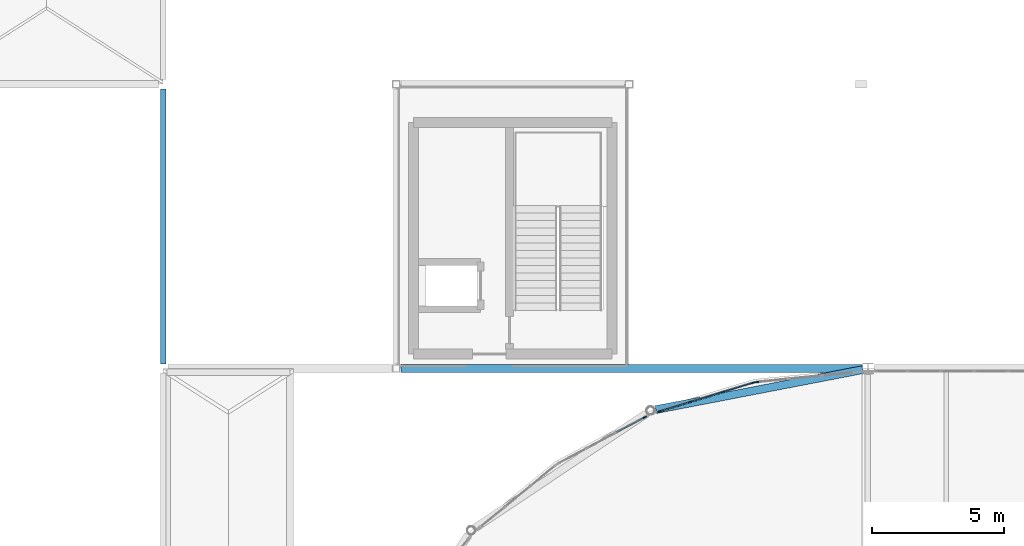
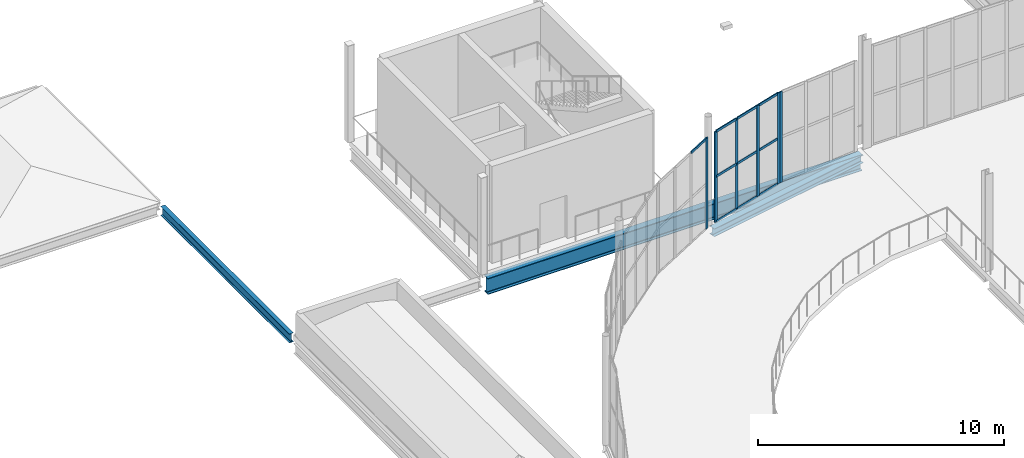
# One storey, part 39 of 112: 16 members, 3 beams, 3 elements without a shape of their own.
"""IFC4 building model written with IfcOpenShell, lengths in metres."""

import ifcopenshell
import ifcopenshell.guid

model = None  # the IFC model being written
_history = None  # IfcOwnerHistory: only IFC2X3 demands one
_inside = {}  # id of a spatial element -> (the spatial element, [elements in it])
_under = {}  # id of a project, library or spatial element -> (it, [spatial elements below it])
_declared = {}  # id of a project -> (the project, [libraries it declares])
_typed = {}  # id of a type object -> (the type object, [elements of that type])
_made_of = {}  # id of a material, layer set ... -> (it, [elements and type objects made of it])


def new_model(schema):
    """Start an empty IFC model of exactly this schema.

    Asked for "IFC4X3", IfcOpenShell would pick the latest addendum, in which some entities
    have other attributes; the version numbers below select the first issue.
    IFC2X3 requires an IfcOwnerHistory on every rooted entity: one is made here for all.
    """
    global model, _history
    if schema == "IFC4X3":
        model = ifcopenshell.file(schema_version=(4, 3, 0, 0))
    else:
        model = ifcopenshell.file(schema=schema)
    _inside.clear()
    _under.clear()
    _declared.clear()
    _typed.clear()
    _made_of.clear()
    _history = None
    if model.schema == "IFC2X3":
        org = make("IfcOrganization", Name="unknown")
        user = make(
            "IfcPersonAndOrganization",
            ThePerson=make("IfcPerson", FamilyName="unknown"),
            TheOrganization=org,
        )
        app = make(
            "IfcApplication",
            ApplicationDeveloper=org,
            Version="unknown",
            ApplicationFullName="unknown",
            ApplicationIdentifier="unknown",
        )
        _history = make(
            "IfcOwnerHistory",
            OwningUser=user,
            OwningApplication=app,
            ChangeAction="ADDED",
            CreationDate=0,
        )
    return model


def make(cls, **values):
    """One entity of the class cls with the attributes given. An attribute that is None is left unset."""
    return model.create_entity(
        cls, **{name: value for name, value in values.items() if value is not None}
    )


def rooted(cls, **values):
    """An entity with a GlobalId (a new one), such as an element, a storey or a relation."""
    return make(cls, GlobalId=ifcopenshell.guid.new(), OwnerHistory=_history, **values)


def si_unit(unit_type, name, prefix=None):
    """IfcSIUnit, for example si_unit("LENGTHUNIT", "METRE", prefix="MILLI")."""
    return make("IfcSIUnit", UnitType=unit_type, Prefix=prefix, Name=name)


def assignment(units):
    """IfcUnitAssignment: the units of a project."""
    return None if units is None else make("IfcUnitAssignment", Units=units)


def point(xyz):
    """IfcCartesianPoint."""
    return None if xyz is None else make("IfcCartesianPoint", Coordinates=xyz)


def direction(xyz):
    """IfcDirection."""
    return None if xyz is None else make("IfcDirection", DirectionRatios=xyz)


def frame(location, z_axis=None, x_axis=None):
    """IfcAxis2Placement3D, a coordinate frame: its origin and axes. An axis left out is left unset."""
    return make(
        "IfcAxis2Placement3D",
        Location=point(location),
        Axis=direction(z_axis),
        RefDirection=direction(x_axis),
    )


def frame_2d(location, x_axis=None):
    """IfcAxis2Placement2D, a coordinate frame in the plane: its origin and x axis."""
    return make(
        "IfcAxis2Placement2D", Location=point(location), RefDirection=direction(x_axis)
    )


def origin():
    """The frame at (0, 0, 0) with its axes left unset."""
    return frame((0.0, 0.0, 0.0))


def origin_2d():
    """The frame at (0, 0) in the plane with its x axis left unset."""
    return frame_2d((0.0, 0.0))


def place(relative_to, where):
    """IfcLocalPlacement: puts the frame where relative to a parent placement (None: the world)."""
    return make(
        "IfcLocalPlacement", PlacementRelTo=relative_to, RelativePlacement=where
    )


def context(
    kind, dimensions, precision=None, world=None, true_north=None, identifier=None
):
    """IfcGeometricRepresentationContext, for example the 3D "Model" context."""
    return make(
        "IfcGeometricRepresentationContext",
        ContextIdentifier=identifier,
        ContextType=kind,
        CoordinateSpaceDimension=dimensions,
        Precision=precision,
        WorldCoordinateSystem=world,
        TrueNorth=true_north,
    )


def subcontext(parent, identifier, kind, view, scale=None):
    """IfcGeometricRepresentationSubContext, for example "Body" below "Model"."""
    return make(
        "IfcGeometricRepresentationSubContext",
        ContextIdentifier=identifier,
        ContextType=kind,
        ParentContext=parent,
        TargetScale=scale,
        TargetView=view,
    )


def project(units=None, contexts=None):
    """IfcProject with its units and contexts."""
    return rooted(
        "IfcProject",
        Name="project",
        RepresentationContexts=contexts,
        UnitsInContext=assignment(units),
    )


def spatial(cls, under=None, at=None, **own):
    """A site, building, storey or space (cls), placed at a placement, below another one or the project."""
    s = rooted(cls, ObjectPlacement=at, **own)
    if under is not None:
        _under.setdefault(under.id(), (under, []))[1].append(s)
    return s


def profile(cls, at=None, kind="AREA", **sizes):
    """A parametric profile (cls). Its sizes go by their IFC names, for example OverallWidth=200.0."""
    return make(cls, ProfileType=kind, Position=at, **sizes)


def rectangle(**sizes):
    """IfcRectangleProfileDef."""
    return profile("IfcRectangleProfileDef", **sizes)


def i_section(**sizes):
    """IfcIShapeProfileDef."""
    return profile("IfcIShapeProfileDef", **sizes)


def extrude(swept, where, along, depth):
    """IfcExtrudedAreaSolid: the profile swept, set in the frame where, extruded along a direction by depth."""
    return make(
        "IfcExtrudedAreaSolid",
        SweptArea=swept,
        Position=where,
        ExtrudedDirection=direction(along),
        Depth=depth,
    )


def shape(context_of_items, identifier, shape_type, items):
    """IfcShapeRepresentation: the items that make up one representation, for example the "Body"."""
    return make(
        "IfcShapeRepresentation",
        ContextOfItems=context_of_items,
        RepresentationIdentifier=identifier,
        RepresentationType=shape_type,
        Items=items,
    )


def material(Name=None, Category=None):
    """IfcMaterial."""
    return make("IfcMaterial", Name=Name, Category=Category)


def layer(
    of_material, thickness, ventilated=None, Name=None, Category=None, Priority=None
):
    """IfcMaterialLayer: one layer of a wall or slab, of a material (None: an air gap)."""
    return make(
        "IfcMaterialLayer",
        Material=of_material,
        LayerThickness=thickness,
        IsVentilated=ventilated,
        Name=Name,
        Category=Category,
        Priority=Priority,
    )


def layer_set(layers, Name=None):
    """IfcMaterialLayerSet."""
    return make("IfcMaterialLayerSet", MaterialLayers=layers, LayerSetName=Name)


def material_profile(
    of_material, cross_section, Name=None, Category=None, Priority=None
):
    """IfcMaterialProfile: a cross section and its material."""
    return make(
        "IfcMaterialProfile",
        Name=Name,
        Material=of_material,
        Profile=cross_section,
        Priority=Priority,
        Category=Category,
    )


def profile_set(profiles, Name=None, composite=None):
    """IfcMaterialProfileSet."""
    return make(
        "IfcMaterialProfileSet",
        Name=Name,
        MaterialProfiles=profiles,
        CompositeProfile=composite,
    )


def made_of(thing, what):
    """Note that an element or type object is made of a material, layer set ...; save() writes the relation."""
    if what is not None:
        _made_of.setdefault(what.id(), (what, []))[1].append(thing)
    return thing


def type_object(cls, material=None, **own):
    """A type object (cls), such as IfcWallType, which elements share."""
    return made_of(rooted(cls, **own), material)


def element(
    cls,
    number,
    at=None,
    inside=None,
    cuts=None,
    type_object=None,
    material=None,
    context=None,
    identifier="Body",
    shape_type=None,
    held_by="IfcProductDefinitionShape",
    body=None,
    shapes=None,
    **own,
):
    """One element of the class cls, such as IfcWall. Its Tag is "e" and its number.

    at: its placement. inside: the storey or other place that contains it. cuts: it is an
    opening in that element (IfcRelVoidsElement). A single representation is given by context,
    identifier, shape_type and body (its items); several are given by shapes. held_by: the class
    of the entity that holds the representations. save() writes the other relations.
    """
    e = rooted(cls, Tag="e%d" % number, ObjectPlacement=at, **own)
    if body is not None:
        shapes = [shape(context, identifier, shape_type, body)]
    if shapes is not None:
        e.Representation = make(held_by, Representations=shapes)
    if inside is not None:
        _inside.setdefault(inside.id(), (inside, []))[1].append(e)
    if cuts is not None:
        rooted(
            "IfcRelVoidsElement", RelatingBuildingElement=cuts, RelatedOpeningElement=e
        )
    if type_object is not None:
        _typed.setdefault(type_object.id(), (type_object, []))[1].append(e)
    return made_of(e, material)


def aggregate(whole, parts):
    """IfcRelAggregates: a whole, such as a stair, and the parts it consists of."""
    return rooted("IfcRelAggregates", RelatingObject=whole, RelatedObjects=parts)


def save(model, path):
    """Write the relations noted so far, then the file.

    IfcRelAggregates (storeys below a building ...), IfcRelContainedInSpatialStructure (elements
    in a storey), IfcRelDefinesByType, IfcRelAssociatesMaterial and IfcRelDeclares: one each for
    every whole, place, type object, material and project.
    """
    for whole, parts in _under.values():
        aggregate(whole, parts)
    for where, things in _inside.values():
        rooted(
            "IfcRelContainedInSpatialStructure",
            RelatedElements=things,
            RelatingStructure=where,
        )
    for kind, things in _typed.values():
        rooted("IfcRelDefinesByType", RelatedObjects=things, RelatingType=kind)
    for what, things in _made_of.values():
        rooted("IfcRelAssociatesMaterial", RelatedObjects=things, RelatingMaterial=what)
    for by, libraries in _declared.values():
        rooted("IfcRelDeclares", RelatingContext=by, RelatedDefinitions=libraries)
    model.write(path)


model = new_model("IFC4")

# Units and contexts
model_context = context("Model", 3, precision=1e-05, world=origin(), true_north=direction((0.0, 1.0)))
body_context = subcontext(model_context, "Body", "Model", "MODEL_VIEW")
ifc_project = project(units=[si_unit("LENGTHUNIT", "METRE"), si_unit("AREAUNIT", "SQUARE_METRE"), si_unit("VOLUMEUNIT", "CUBIC_METRE"), si_unit("PLANEANGLEUNIT", "RADIAN"), si_unit("MASSUNIT", "GRAM", prefix="KILO")], contexts=[model_context])

# Site, building, storey
site_placement = place(None, origin())
site = spatial("IfcSite", under=ifc_project, at=site_placement, CompositionType="ELEMENT")
building_placement = place(site_placement, origin())
building = spatial("IfcBuilding", under=site, at=building_placement, Name="Yeouljin Market Hall", CompositionType="ELEMENT")
storey_placement = place(building_placement, frame((0.0, 0.0, 6.0)))
storey = spatial("IfcBuildingStorey", under=building, at=storey_placement, Name="L01", CompositionType="ELEMENT", Elevation=6.0)

# Beams
ifc_material_1 = material(Name="Steel SM355", Category="steel")
ifc_material_profile_1 = material_profile(ifc_material_1, i_section(OverallWidth=0.300048828125, OverallDepth=0.389892578125, WebThickness=0.010009765625, FlangeThickness=0.01611328125, FilletRadius=0.01806640625, at=origin_2d()), Name="H-390x300x10x16")
ifc_profile_set_1 = profile_set([ifc_material_profile_1], Name="Steel SM355")
beam_type_1 = type_object("IfcBeamType", Name="Beam_H-390x300x10x16", PredefinedType="BEAM", material=ifc_profile_set_1)
beam_1_placement = place(storey_placement, frame((27.56298828125, 76.43994140625, -0.465087890625), z_axis=(0.981854876369, 0.189633862352, 0.0), x_axis=(-0.189633862352, 0.981854876369, 0.0)))
element("IfcBeam", 1, at=beam_1_placement, inside=storey, type_object=beam_type_1, Name="Apse ring beam L01 249", PredefinedType="BEAM", context=body_context, shape_type="SweptSolid", body=[
    extrude(i_section(OverallWidth=0.300048828125, OverallDepth=0.389892578125, WebThickness=0.010009765625, FlangeThickness=0.01611328125, FilletRadius=0.01806640625, at=origin_2d()), origin(), (0.0, 0.0, 1.0), 8.00146484375),
])
ifc_material_2 = material(Name="Steel SM355", Category="steel")
ifc_material_profile_2 = material_profile(ifc_material_2, i_section(OverallWidth=0.199951171875, OverallDepth=0.449951171875, WebThickness=0.009033203125, FlangeThickness=0.013916015625, FilletRadius=0.01806640625, at=origin_2d()), Name="H-450x200x9x14")
ifc_profile_set_2 = profile_set([ifc_material_profile_2], Name="Steel SM355")
beam_type_2 = type_object("IfcBeamType", Name="Beam_H-450x200x9x14", PredefinedType="BEAM", material=ifc_profile_set_2)
beam_2_placement = place(storey_placement, frame((8.85009765625, 78.175048828125, -0.2451171875), z_axis=(0.0, 1.0, 0.0), x_axis=(-1.0, 0.0, 0.0)))
element("IfcBeam", 2, at=beam_2_placement, inside=storey, type_object=beam_type_2, Name="Service apron canopy beam BM-ENDCAN-Y05", PredefinedType="BEAM", context=body_context, shape_type="SweptSolid", body=[
    extrude(i_section(OverallWidth=0.199951171875, OverallDepth=0.449951171875, WebThickness=0.009033203125, FlangeThickness=0.013916015625, FilletRadius=0.01806640625, at=origin_2d()), origin(), (0.0, 0.0, 1.0), 10.449951171875),
])

# Curtain wall, member
ifc_material_3 = material(Name="Thermally Broken Aluminium", Category="aluminium")
ifc_layer = layer(ifc_material_3, 0.179931640625)
ifc_layer_set = layer_set([ifc_layer], Name="Thermally Broken Aluminium")
curtain_wall_type = type_object("IfcCurtainWallType", Name="CW_ApseCurved_System", PredefinedType="USERDEFINED", material=ifc_layer_set)
curtain_wall_1_placement = place(storey_placement, origin())
curtain_wall_1 = element("IfcCurtainWall", 3, at=curtain_wall_1_placement, inside=storey, type_object=curtain_wall_type, Name="Curtain wall CW-AP-WL01-14", ObjectType="CURTAIN WALL", PredefinedType="USERDEFINED")
ifc_material_4 = material(Name="Thermally Broken Aluminium", Category="aluminium")
ifc_material_profile_3 = material_profile(ifc_material_4, rectangle(XDim=0.048095703125, YDim=0.14990234375, at=origin_2d()), Name="CW-MULL-48x150")
ifc_profile_set_3 = profile_set([ifc_material_profile_3], Name="Thermally Broken Aluminium")
member_type_1 = type_object("IfcMemberType", Name="CWMullion_48x150", PredefinedType="MULLION", material=ifc_profile_set_3)
member_1_placement = place(storey_placement, frame((27.1416015625, 76.147216796875, 0.0), z_axis=(0.0, 0.0, 1.0), x_axis=(-0.471377626598, 0.881931478712, 0.0)))
member_1 = element("IfcMember", 4, at=member_1_placement, type_object=member_type_1, Name="CW-03 mullion 4", PredefinedType="MULLION", context=body_context, shape_type="SweptSolid", body=[
    extrude(rectangle(XDim=0.048095703125, YDim=0.14990234375, at=origin_2d()), origin(), (0.0, 0.0, 1.0), 4.5),
])

# Curtain wall, members
curtain_wall_2_placement = place(storey_placement, origin())
curtain_wall_2 = element("IfcCurtainWall", 5, at=curtain_wall_2_placement, inside=storey, type_object=curtain_wall_type, Name="Curtain wall CW-AP-WL01-15", ObjectType="CURTAIN WALL", PredefinedType="USERDEFINED")
member_2_placement = place(storey_placement, frame((27.700439453125, 76.37890625, 0.0), z_axis=(0.0, 0.0, 1.0), x_axis=(-0.290286164863, 0.95693988447, 0.0)))
member_2 = element("IfcMember", 6, at=member_2_placement, type_object=member_type_1, Name="CW-03 mullion 1", PredefinedType="MULLION", context=body_context, shape_type="SweptSolid", body=[
    extrude(rectangle(XDim=0.048095703125, YDim=0.14990234375, at=origin_2d()), origin(), (0.0, 0.0, 1.0), 4.5),
])
member_3_placement = place(storey_placement, frame((28.881103515625, 76.737060546875, 0.0), z_axis=(0.0, 0.0, 1.0), x_axis=(-0.290286164863, 0.95693988447, 0.0)))
member_3 = element("IfcMember", 7, at=member_3_placement, type_object=member_type_1, Name="CW-03 mullion 2", PredefinedType="MULLION", context=body_context, shape_type="SweptSolid", body=[
    extrude(rectangle(XDim=0.048095703125, YDim=0.14990234375, at=origin_2d()), origin(), (0.0, 0.0, 1.0), 4.5),
])
member_4_placement = place(storey_placement, frame((30.084716796875, 77.10205078125, 0.0), z_axis=(0.0, 0.0, 1.0), x_axis=(-0.290286164863, 0.95693988447, 0.0)))
member_4 = element("IfcMember", 8, at=member_4_placement, type_object=member_type_1, Name="CW-03 mullion 3", PredefinedType="MULLION", context=body_context, shape_type="SweptSolid", body=[
    extrude(rectangle(XDim=0.048095703125, YDim=0.14990234375, at=origin_2d()), origin(), (0.0, 0.0, 1.0), 4.5),
])
member_5_placement = place(storey_placement, frame((31.26513671875, 77.460205078125, 0.0), z_axis=(0.0, 0.0, 1.0), x_axis=(-0.290286164863, 0.95693988447, 0.0)))
member_5 = element("IfcMember", 9, at=member_5_placement, type_object=member_type_1, Name="CW-03 mullion 4", PredefinedType="MULLION", context=body_context, shape_type="SweptSolid", body=[
    extrude(rectangle(XDim=0.048095703125, YDim=0.14990234375, at=origin_2d()), origin(), (0.0, 0.0, 1.0), 4.5),
])

# Curtain wall, member
curtain_wall_3_placement = place(storey_placement, origin())
curtain_wall_3 = element("IfcCurtainWall", 10, at=curtain_wall_3_placement, inside=storey, type_object=curtain_wall_type, Name="Curtain wall CW-AP-WL01-16", ObjectType="CURTAIN WALL", PredefinedType="USERDEFINED")
member_6_placement = place(storey_placement, frame((31.39013671875, 77.485107421875, 0.0), z_axis=(0.0, 0.0, 1.0), x_axis=(-0.09803414403, 0.995183051807, 0.0)))
member_6 = element("IfcMember", 11, at=member_6_placement, type_object=member_type_1, Name="CW-03 mullion 1", PredefinedType="MULLION", context=body_context, shape_type="SweptSolid", body=[
    extrude(rectangle(XDim=0.048095703125, YDim=0.14990234375, at=origin_2d()), origin(), (0.0, 0.0, 1.0), 4.5),
])
aggregate(curtain_wall_3, [member_6])

# Member
ifc_material_5 = material(Name="Thermally Broken Aluminium", Category="aluminium")
ifc_material_profile_4 = material_profile(ifc_material_5, rectangle(XDim=0.048095703125, YDim=0.1201171875, at=origin_2d()), Name="CW-TRAN-48x120")
ifc_profile_set_4 = profile_set([ifc_material_profile_4], Name="Thermally Broken Aluminium")
member_type_2 = type_object("IfcMemberType", Name="CWTransom_48x120", PredefinedType="USERDEFINED", material=ifc_profile_set_4)
member_7_placement = place(storey_placement, frame((26.07470703125, 75.5771484375, 4.47607421875), z_axis=(0.881947903555, 0.471346894989, 0.0), x_axis=(-0.471346894989, 0.881947903555, 0.0)))
member_7 = element("IfcMember", 12, at=member_7_placement, type_object=member_type_2, Name="CW-03 transom 3.3", ObjectType="TRANSOM", PredefinedType="USERDEFINED", context=body_context, shape_type="SweptSolid", body=[
    extrude(rectangle(XDim=0.048095703125, YDim=0.1201171875, at=origin_2d()), origin(), (0.0, 0.0, 1.0), 1.185546875),
])

aggregate(curtain_wall_1, [member_1, member_7])

member_8_placement = place(storey_placement, frame((27.723388671875, 76.3857421875, 0.02392578125), z_axis=(0.956937784149, 0.290293088565, 0.0), x_axis=(-0.290293088565, 0.956937784149, 0.0)))
member_8 = element("IfcMember", 13, at=member_8_placement, type_object=member_type_2, Name="CW-03 transom 1.1", ObjectType="TRANSOM", PredefinedType="USERDEFINED", context=body_context, shape_type="SweptSolid", body=[
    extrude(rectangle(XDim=0.048095703125, YDim=0.1201171875, at=origin_2d()), origin(), (0.0, 0.0, 1.0), 1.185791015625),
])

member_9_placement = place(storey_placement, frame((27.723388671875, 76.3857421875, 2.25), z_axis=(0.956937784149, 0.290293088565, 0.0), x_axis=(-0.290293088565, 0.956937784149, 0.0)))
member_9 = element("IfcMember", 14, at=member_9_placement, type_object=member_type_2, Name="CW-03 transom 1.2", ObjectType="TRANSOM", PredefinedType="USERDEFINED", context=body_context, shape_type="SweptSolid", body=[
    extrude(rectangle(XDim=0.048095703125, YDim=0.1201171875, at=origin_2d()), origin(), (0.0, 0.0, 1.0), 1.185791015625),
])

member_10_placement = place(storey_placement, frame((27.723388671875, 76.3857421875, 4.47607421875), z_axis=(0.956937784149, 0.290293088565, 0.0), x_axis=(-0.290293088565, 0.956937784149, 0.0)))
member_10 = element("IfcMember", 15, at=member_10_placement, type_object=member_type_2, Name="CW-03 transom 1.3", ObjectType="TRANSOM", PredefinedType="USERDEFINED", context=body_context, shape_type="SweptSolid", body=[
    extrude(rectangle(XDim=0.048095703125, YDim=0.1201171875, at=origin_2d()), origin(), (0.0, 0.0, 1.0), 1.185791015625),
])

member_11_placement = place(storey_placement, frame((28.904052734375, 76.743896484375, 0.02392578125), z_axis=(0.95691061979, 0.290382619544, 0.0), x_axis=(-0.290382619544, 0.95691061979, 0.0)))
member_11 = element("IfcMember", 16, at=member_11_placement, type_object=member_type_2, Name="CW-03 transom 2.1", ObjectType="TRANSOM", PredefinedType="USERDEFINED", context=body_context, shape_type="SweptSolid", body=[
    extrude(rectangle(XDim=0.048095703125, YDim=0.1201171875, at=origin_2d()), origin(), (0.0, 0.0, 1.0), 1.2099609375),
])

member_12_placement = place(storey_placement, frame((28.904052734375, 76.743896484375, 2.25), z_axis=(0.95691061979, 0.290382619544, 0.0), x_axis=(-0.290382619544, 0.95691061979, 0.0)))
member_12 = element("IfcMember", 17, at=member_12_placement, type_object=member_type_2, Name="CW-03 transom 2.2", ObjectType="TRANSOM", PredefinedType="USERDEFINED", context=body_context, shape_type="SweptSolid", body=[
    extrude(rectangle(XDim=0.048095703125, YDim=0.1201171875, at=origin_2d()), origin(), (0.0, 0.0, 1.0), 1.2099609375),
])

member_13_placement = place(storey_placement, frame((28.904052734375, 76.743896484375, 4.47607421875), z_axis=(0.95691061979, 0.290382619544, 0.0), x_axis=(-0.290382619544, 0.95691061979, 0.0)))
member_13 = element("IfcMember", 18, at=member_13_placement, type_object=member_type_2, Name="CW-03 transom 2.3", ObjectType="TRANSOM", PredefinedType="USERDEFINED", context=body_context, shape_type="SweptSolid", body=[
    extrude(rectangle(XDim=0.048095703125, YDim=0.1201171875, at=origin_2d()), origin(), (0.0, 0.0, 1.0), 1.2099609375),
])

member_14_placement = place(storey_placement, frame((30.107666015625, 77.109130859375, 0.02392578125), z_axis=(0.95692042936, 0.290350291671, 0.0), x_axis=(-0.290350291671, 0.95692042936, 0.0)))
member_14 = element("IfcMember", 19, at=member_14_placement, type_object=member_type_2, Name="CW-03 transom 3.1", ObjectType="TRANSOM", PredefinedType="USERDEFINED", context=body_context, shape_type="SweptSolid", body=[
    extrude(rectangle(XDim=0.048095703125, YDim=0.1201171875, at=origin_2d()), origin(), (0.0, 0.0, 1.0), 1.185546875),
])

member_15_placement = place(storey_placement, frame((30.107666015625, 77.109130859375, 2.25), z_axis=(0.95692042936, 0.290350291671, 0.0), x_axis=(-0.290350291671, 0.95692042936, 0.0)))
member_15 = element("IfcMember", 20, at=member_15_placement, type_object=member_type_2, Name="CW-03 transom 3.2", ObjectType="TRANSOM", PredefinedType="USERDEFINED", context=body_context, shape_type="SweptSolid", body=[
    extrude(rectangle(XDim=0.048095703125, YDim=0.1201171875, at=origin_2d()), origin(), (0.0, 0.0, 1.0), 1.185546875),
])

member_16_placement = place(storey_placement, frame((30.107666015625, 77.109130859375, 4.47607421875), z_axis=(0.95692042936, 0.290350291671, 0.0), x_axis=(-0.290350291671, 0.95692042936, 0.0)))
member_16 = element("IfcMember", 21, at=member_16_placement, type_object=member_type_2, Name="CW-03 transom 3.3", ObjectType="TRANSOM", PredefinedType="USERDEFINED", context=body_context, shape_type="SweptSolid", body=[
    extrude(rectangle(XDim=0.048095703125, YDim=0.1201171875, at=origin_2d()), origin(), (0.0, 0.0, 1.0), 1.185546875),
])

aggregate(curtain_wall_2, [member_2, member_3, member_4, member_5, member_8, member_9, member_10, member_11, member_12, member_13, member_14, member_15, member_16])

# Beam
ifc_material_6 = material(Name="Steel SM355", Category="steel")
ifc_material_profile_5 = material_profile(ifc_material_6, i_section(OverallWidth=0.300048828125, OverallDepth=0.800048828125, WebThickness=0.013916015625, FlangeThickness=0.02587890625, FilletRadius=0.028076171875, at=origin_2d()), Name="H-800x300x14x26")
ifc_profile_set_5 = profile_set([ifc_material_profile_5], Name="Steel SM355")
beam_type_3 = type_object("IfcBeamType", Name="Girder_H-800x300x14x26", PredefinedType="USERDEFINED", material=ifc_profile_set_5)
beam_3_placement = place(storey_placement, frame((17.875, 78.0, -0.6650390625), z_axis=(1.0, 0.0, 0.0), x_axis=(0.0, 1.0, 0.0)))
element("IfcBeam", 22, at=beam_3_placement, inside=storey, type_object=beam_type_3, Name="Primary girder GRD-L01-X080", ObjectType="GIRDER", PredefinedType="USERDEFINED", context=body_context, shape_type="SweptSolid", body=[
    extrude(i_section(OverallWidth=0.300048828125, OverallDepth=0.800048828125, WebThickness=0.013916015625, FlangeThickness=0.02587890625, FilletRadius=0.028076171875, at=origin_2d()), origin(), (0.0, 0.0, 1.0), 17.5400390625),
])

save(model, "model.ifc")
